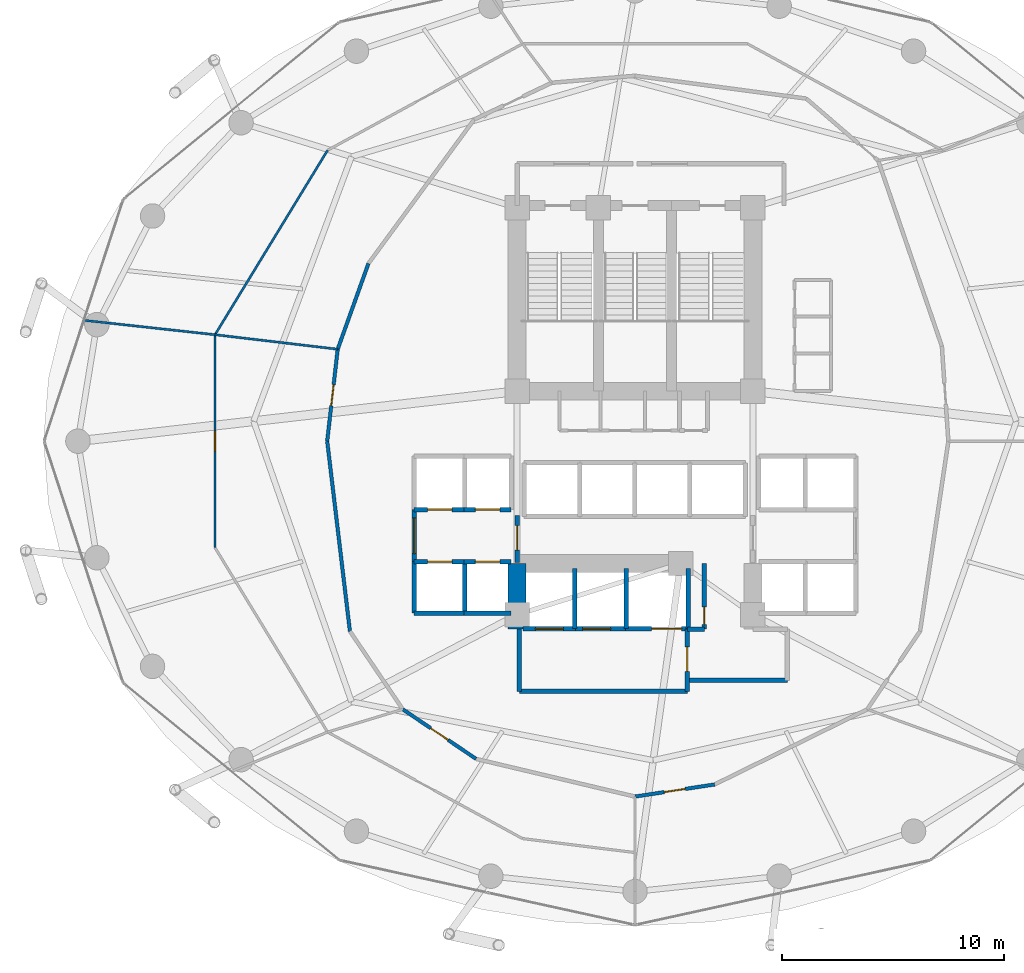
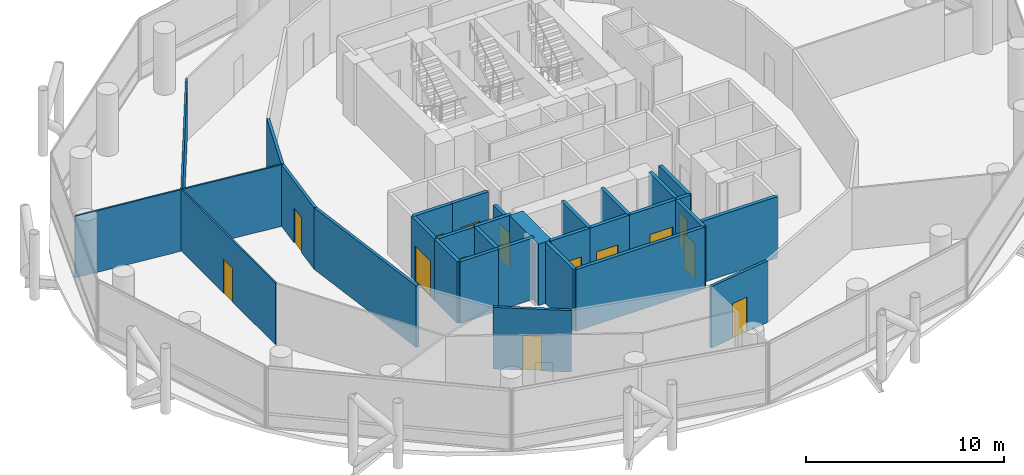
# One storey, part 21 of 25: 32 walls, 15 doors, 15 openings.
"""IFC4 building model written with IfcOpenShell, lengths in metres."""

import ifcopenshell
import ifcopenshell.guid

model = None  # the IFC model being written
_history = None  # IfcOwnerHistory: only IFC2X3 demands one
_inside = {}  # id of a spatial element -> (the spatial element, [elements in it])
_under = {}  # id of a project, library or spatial element -> (it, [spatial elements below it])
_declared = {}  # id of a project -> (the project, [libraries it declares])
_typed = {}  # id of a type object -> (the type object, [elements of that type])
_made_of = {}  # id of a material, layer set ... -> (it, [elements and type objects made of it])


def new_model(schema):
    """Start an empty IFC model of exactly this schema.

    Asked for "IFC4X3", IfcOpenShell would pick the latest addendum, in which some entities
    have other attributes; the version numbers below select the first issue.
    IFC2X3 requires an IfcOwnerHistory on every rooted entity: one is made here for all.
    """
    global model, _history
    if schema == "IFC4X3":
        model = ifcopenshell.file(schema_version=(4, 3, 0, 0))
    else:
        model = ifcopenshell.file(schema=schema)
    _inside.clear()
    _under.clear()
    _declared.clear()
    _typed.clear()
    _made_of.clear()
    _history = None
    if model.schema == "IFC2X3":
        org = make("IfcOrganization", Name="unknown")
        user = make(
            "IfcPersonAndOrganization",
            ThePerson=make("IfcPerson", FamilyName="unknown"),
            TheOrganization=org,
        )
        app = make(
            "IfcApplication",
            ApplicationDeveloper=org,
            Version="unknown",
            ApplicationFullName="unknown",
            ApplicationIdentifier="unknown",
        )
        _history = make(
            "IfcOwnerHistory",
            OwningUser=user,
            OwningApplication=app,
            ChangeAction="ADDED",
            CreationDate=0,
        )
    return model


def make(cls, **values):
    """One entity of the class cls with the attributes given. An attribute that is None is left unset."""
    return model.create_entity(
        cls, **{name: value for name, value in values.items() if value is not None}
    )


def rooted(cls, **values):
    """An entity with a GlobalId (a new one), such as an element, a storey or a relation."""
    return make(cls, GlobalId=ifcopenshell.guid.new(), OwnerHistory=_history, **values)


def si_unit(unit_type, name, prefix=None):
    """IfcSIUnit, for example si_unit("LENGTHUNIT", "METRE", prefix="MILLI")."""
    return make("IfcSIUnit", UnitType=unit_type, Prefix=prefix, Name=name)


def assignment(units):
    """IfcUnitAssignment: the units of a project."""
    return None if units is None else make("IfcUnitAssignment", Units=units)


def point(xyz):
    """IfcCartesianPoint."""
    return None if xyz is None else make("IfcCartesianPoint", Coordinates=xyz)


def direction(xyz):
    """IfcDirection."""
    return None if xyz is None else make("IfcDirection", DirectionRatios=xyz)


def frame(location, z_axis=None, x_axis=None):
    """IfcAxis2Placement3D, a coordinate frame: its origin and axes. An axis left out is left unset."""
    return make(
        "IfcAxis2Placement3D",
        Location=point(location),
        Axis=direction(z_axis),
        RefDirection=direction(x_axis),
    )


def frame_2d(location, x_axis=None):
    """IfcAxis2Placement2D, a coordinate frame in the plane: its origin and x axis."""
    return make(
        "IfcAxis2Placement2D", Location=point(location), RefDirection=direction(x_axis)
    )


def origin():
    """The frame at (0, 0, 0) with its axes left unset."""
    return frame((0.0, 0.0, 0.0))


def place(relative_to, where):
    """IfcLocalPlacement: puts the frame where relative to a parent placement (None: the world)."""
    return make(
        "IfcLocalPlacement", PlacementRelTo=relative_to, RelativePlacement=where
    )


def context(
    kind, dimensions, precision=None, world=None, true_north=None, identifier=None
):
    """IfcGeometricRepresentationContext, for example the 3D "Model" context."""
    return make(
        "IfcGeometricRepresentationContext",
        ContextIdentifier=identifier,
        ContextType=kind,
        CoordinateSpaceDimension=dimensions,
        Precision=precision,
        WorldCoordinateSystem=world,
        TrueNorth=true_north,
    )


def subcontext(parent, identifier, kind, view, scale=None):
    """IfcGeometricRepresentationSubContext, for example "Body" below "Model"."""
    return make(
        "IfcGeometricRepresentationSubContext",
        ContextIdentifier=identifier,
        ContextType=kind,
        ParentContext=parent,
        TargetScale=scale,
        TargetView=view,
    )


def project(units=None, contexts=None):
    """IfcProject with its units and contexts."""
    return rooted(
        "IfcProject",
        Name="project",
        RepresentationContexts=contexts,
        UnitsInContext=assignment(units),
    )


def spatial(cls, under=None, at=None, **own):
    """A site, building, storey or space (cls), placed at a placement, below another one or the project."""
    s = rooted(cls, ObjectPlacement=at, **own)
    if under is not None:
        _under.setdefault(under.id(), (under, []))[1].append(s)
    return s


def profile(cls, at=None, kind="AREA", **sizes):
    """A parametric profile (cls). Its sizes go by their IFC names, for example OverallWidth=200.0."""
    return make(cls, ProfileType=kind, Position=at, **sizes)


def rectangle(**sizes):
    """IfcRectangleProfileDef."""
    return profile("IfcRectangleProfileDef", **sizes)


def extrude(swept, where, along, depth):
    """IfcExtrudedAreaSolid: the profile swept, set in the frame where, extruded along a direction by depth."""
    return make(
        "IfcExtrudedAreaSolid",
        SweptArea=swept,
        Position=where,
        ExtrudedDirection=direction(along),
        Depth=depth,
    )


def shape(context_of_items, identifier, shape_type, items):
    """IfcShapeRepresentation: the items that make up one representation, for example the "Body"."""
    return make(
        "IfcShapeRepresentation",
        ContextOfItems=context_of_items,
        RepresentationIdentifier=identifier,
        RepresentationType=shape_type,
        Items=items,
    )


def material(Name=None, Category=None):
    """IfcMaterial."""
    return make("IfcMaterial", Name=Name, Category=Category)


def layer(
    of_material, thickness, ventilated=None, Name=None, Category=None, Priority=None
):
    """IfcMaterialLayer: one layer of a wall or slab, of a material (None: an air gap)."""
    return make(
        "IfcMaterialLayer",
        Material=of_material,
        LayerThickness=thickness,
        IsVentilated=ventilated,
        Name=Name,
        Category=Category,
        Priority=Priority,
    )


def layer_set(layers, Name=None):
    """IfcMaterialLayerSet."""
    return make("IfcMaterialLayerSet", MaterialLayers=layers, LayerSetName=Name)


def made_of(thing, what):
    """Note that an element or type object is made of a material, layer set ...; save() writes the relation."""
    if what is not None:
        _made_of.setdefault(what.id(), (what, []))[1].append(thing)
    return thing


def type_object(cls, material=None, **own):
    """A type object (cls), such as IfcWallType, which elements share."""
    return made_of(rooted(cls, **own), material)


def element(
    cls,
    number,
    at=None,
    inside=None,
    cuts=None,
    type_object=None,
    material=None,
    context=None,
    identifier="Body",
    shape_type=None,
    held_by="IfcProductDefinitionShape",
    body=None,
    shapes=None,
    **own,
):
    """One element of the class cls, such as IfcWall. Its Tag is "e" and its number.

    at: its placement. inside: the storey or other place that contains it. cuts: it is an
    opening in that element (IfcRelVoidsElement). A single representation is given by context,
    identifier, shape_type and body (its items); several are given by shapes. held_by: the class
    of the entity that holds the representations. save() writes the other relations.
    """
    e = rooted(cls, Tag="e%d" % number, ObjectPlacement=at, **own)
    if body is not None:
        shapes = [shape(context, identifier, shape_type, body)]
    if shapes is not None:
        e.Representation = make(held_by, Representations=shapes)
    if inside is not None:
        _inside.setdefault(inside.id(), (inside, []))[1].append(e)
    if cuts is not None:
        rooted(
            "IfcRelVoidsElement", RelatingBuildingElement=cuts, RelatedOpeningElement=e
        )
    if type_object is not None:
        _typed.setdefault(type_object.id(), (type_object, []))[1].append(e)
    return made_of(e, material)


def fill(opening, filler):
    """IfcRelFillsElement: the door or window that sits in an opening."""
    return rooted(
        "IfcRelFillsElement",
        RelatingOpeningElement=opening,
        RelatedBuildingElement=filler,
    )


def aggregate(whole, parts):
    """IfcRelAggregates: a whole, such as a stair, and the parts it consists of."""
    return rooted("IfcRelAggregates", RelatingObject=whole, RelatedObjects=parts)


def save(model, path):
    """Write the relations noted so far, then the file.

    IfcRelAggregates (storeys below a building ...), IfcRelContainedInSpatialStructure (elements
    in a storey), IfcRelDefinesByType, IfcRelAssociatesMaterial and IfcRelDeclares: one each for
    every whole, place, type object, material and project.
    """
    for whole, parts in _under.values():
        aggregate(whole, parts)
    for where, things in _inside.values():
        rooted(
            "IfcRelContainedInSpatialStructure",
            RelatedElements=things,
            RelatingStructure=where,
        )
    for kind, things in _typed.values():
        rooted("IfcRelDefinesByType", RelatedObjects=things, RelatingType=kind)
    for what, things in _made_of.values():
        rooted("IfcRelAssociatesMaterial", RelatedObjects=things, RelatingMaterial=what)
    for by, libraries in _declared.values():
        rooted("IfcRelDeclares", RelatingContext=by, RelatedDefinitions=libraries)
    model.write(path)


model = new_model("IFC4")

# Units and contexts
model_context = context("Model", 3, precision=1e-05, world=origin(), true_north=direction((0.0, 1.0)))
body_context = subcontext(model_context, "Body", "Model", "MODEL_VIEW")
ifc_project = project(units=[si_unit("LENGTHUNIT", "METRE"), si_unit("AREAUNIT", "SQUARE_METRE"), si_unit("VOLUMEUNIT", "CUBIC_METRE"), si_unit("PLANEANGLEUNIT", "RADIAN"), si_unit("MASSUNIT", "GRAM", prefix="KILO")], contexts=[model_context])

# Site, building, storey
site_placement = place(None, origin())
site = spatial("IfcSite", under=ifc_project, at=site_placement, CompositionType="ELEMENT")
building_placement = place(site_placement, origin())
building = spatial("IfcBuilding", under=site, at=building_placement, Name="Nuhasar Tower", CompositionType="ELEMENT")
storey_placement = place(building_placement, frame((0.0, 0.0, 57.449951171875)))
storey = spatial("IfcBuildingStorey", under=building, at=storey_placement, Name="L13", CompositionType="ELEMENT", Elevation=57.449951171875)

# Walls
ifc_material_1 = material(Name="Concrete C80/95", Category="concrete")
ifc_layer_1 = layer(ifc_material_1, 0.800048828125)
ifc_layer_set_1 = layer_set([ifc_layer_1], Name="Concrete C80/95")
wall_type_1 = type_object("IfcWallType", Name="WL-CORE-800", PredefinedType="SHEAR", material=ifc_layer_set_1)
wall_1_placement = place(storey_placement, frame((33.699951171875, 18.35009765625, 0.0), z_axis=(0.0, 0.0, 1.0), x_axis=(0.0, 1.0, 0.0)))
element("IfcWall", 1, at=wall_1_placement, inside=storey, type_object=wall_type_1, Name="L13 Core Shear Wall CW-SW CW-800", PredefinedType="SHEAR", context=body_context, shape_type="SweptSolid", body=[
    extrude(rectangle(XDim=2.949951171875, YDim=0.800048828125, at=frame_2d((1.47509765625, 0.0))), origin(), (0.0, 0.0, 1.0), 3.800048828125),
])
ifc_material_2 = material(Name="Gypsum Board", Category="gypsum")
ifc_layer_2 = layer(ifc_material_2, 0.159912109375)
ifc_layer_set_2 = layer_set([ifc_layer_2], Name="Gypsum Board")
wall_type_2 = type_object("IfcWallType", Name="WL-CORR-160", PredefinedType="PARTITIONING", material=ifc_layer_set_2)
wall_2_placement = place(storey_placement, frame((27.013916015625, 34.7900390625, 0.0), z_axis=(0.0, 0.0, 1.0), x_axis=(-0.337507156162, -0.941322962399, 0.0)))
element("IfcWall", 2, at=wall_2_placement, inside=storey, type_object=wall_type_2, Name="L13 Interior Partition CORR-20", PredefinedType="PARTITIONING", context=body_context, shape_type="SweptSolid", body=[
    extrude(rectangle(XDim=4.09423828125, YDim=0.159912109375, at=frame_2d((2.047119140625, 0.0))), origin(), (0.0, 0.0, 1.0), 3.800048828125),
])

# Wall, opening, door
wall_3_placement = place(storey_placement, frame((25.159912109375, 26.800048828125, 0.0), z_axis=(0.0, 0.0, 1.0), x_axis=(0.113424191486, 0.993546653553, 0.0)))
wall_3 = element("IfcWall", 3, at=wall_3_placement, inside=storey, type_object=wall_type_2, Name="L13 Interior Partition CORR-22", PredefinedType="PARTITIONING", context=body_context, shape_type="SweptSolid", body=[
    extrude(rectangle(XDim=4.162841796875, YDim=0.159912109375, at=frame_2d((2.08154296875, 0.0))), origin(), (0.0, 0.0, 1.0), 3.800048828125),
])
opening_1_placement = place(wall_3_placement, frame((1.60595703125, 0.0, 0.0)))
opening_1 = element("IfcOpeningElement", 4, at=opening_1_placement, cuts=wall_3, Name="Opening DO-01", PredefinedType="OPENING", context=body_context, shape_type="SweptSolid", body=[
    extrude(rectangle(XDim=0.949951171875, YDim=2.14990234375, at=frame_2d((0.47509765625, 1.074951171875))), frame((0.0, 0.08984375, 0.0), z_axis=(0.0, -1.0, 0.0), x_axis=(1.0, 0.0, 0.0)), (0.0, 0.0, 1.0), 0.179931640625),
])
ifc_material_3 = material(Name="Timber Oak", Category="wood")
door_type_1 = type_object("IfcDoorType", Name="DR-OFFICE-FD30-950", OperationType="NOTDEFINED", PredefinedType="DOOR", material=ifc_material_3)
door_1_placement = place(opening_1_placement, origin())
door_1 = element("IfcDoor", 5, at=door_1_placement, inside=storey, type_object=door_type_1, Name="L13 Risk Committee Meeting Room Entry Door", OperationType="SINGLE_SWING_LEFT", OverallHeight=2.14990234375, OverallWidth=0.949951171875, PredefinedType="DOOR", context=body_context, shape_type="SweptSolid", body=[
    extrude(rectangle(XDim=0.949951171875, YDim=2.14990234375, at=frame_2d((0.47509765625, 1.074951171875))), frame((0.0, 0.02490234375, 0.0), z_axis=(0.0, -1.0, 0.0), x_axis=(1.0, 0.0, 0.0)), (0.0, 0.0, 1.0), 0.050048828125),
])
fill(opening_1, door_1)

# Wall
wall_4_placement = place(storey_placement, frame((25.159912109375, 26.800048828125, 0.0), z_axis=(0.0, 0.0, 1.0), x_axis=(0.11875033489, -0.992924145121, 0.0)))
element("IfcWall", 6, at=wall_4_placement, inside=storey, type_object=wall_type_2, Name="L13 Interior Partition CORR-24", PredefinedType="PARTITIONING", context=body_context, shape_type="SweptSolid", body=[
    extrude(rectangle(XDim=8.60595703125, YDim=0.159912109375, at=frame_2d((4.302978515625, 0.0))), origin(), (0.0, 0.0, 1.0), 3.800048828125),
])

# Wall, opening, door
wall_5_placement = place(storey_placement, frame((31.85595703125, 12.513916015625, 0.0), z_axis=(0.0, 0.0, 1.0), x_axis=(-0.828313553284, 0.560264810108, 0.0)))
wall_5 = element("IfcWall", 7, at=wall_5_placement, inside=storey, type_object=wall_type_2, Name="L13 Interior Partition CORR-30", PredefinedType="PARTITIONING", context=body_context, shape_type="SweptSolid", body=[
    extrude(rectangle(XDim=3.980224609375, YDim=0.159912109375, at=frame_2d((1.990234375, 0.0))), origin(), (0.0, 0.0, 1.0), 3.800048828125),
])
opening_2_placement = place(wall_5_placement, frame((1.514892578125, 0.0, 0.0)))
opening_2 = element("IfcOpeningElement", 8, at=opening_2_placement, cuts=wall_5, Name="Opening DO-01", PredefinedType="OPENING", context=body_context, shape_type="SweptSolid", body=[
    extrude(rectangle(XDim=0.949951171875, YDim=2.14990234375, at=frame_2d((0.47509765625, 1.074951171875))), frame((0.0, 0.08984375, 0.0), z_axis=(0.0, -1.0, 0.0), x_axis=(1.0, 0.0, 0.0)), (0.0, 0.0, 1.0), 0.179931640625),
])
door_2_placement = place(opening_2_placement, origin())
door_2 = element("IfcDoor", 9, at=door_2_placement, inside=storey, type_object=door_type_1, Name="L13 Econometrics Research Office Entry Door", OperationType="SINGLE_SWING_RIGHT", OverallHeight=2.14990234375, OverallWidth=0.949951171875, PredefinedType="DOOR", context=body_context, shape_type="SweptSolid", body=[
    extrude(rectangle(XDim=0.949951171875, YDim=2.14990234375, at=frame_2d((0.47509765625, 1.074951171875))), frame((0.0, 0.02490234375, 0.0), z_axis=(0.0, -1.0, 0.0), x_axis=(1.0, 0.0, 0.0)), (0.0, 0.0, 1.0), 0.050048828125),
])
fill(opening_2, door_2)

wall_6_placement = place(storey_placement, frame((42.58203125, 11.364990234375, 0.0), z_axis=(0.0, 0.0, 1.0), x_axis=(-0.988625807883, -0.150396183424, 0.0)))
wall_6 = element("IfcWall", 10, at=wall_6_placement, inside=storey, type_object=wall_type_2, Name="L13 Interior Partition CORR-36", PredefinedType="PARTITIONING", context=body_context, shape_type="SweptSolid", body=[
    extrude(rectangle(XDim=3.623291015625, YDim=0.159912109375, at=frame_2d((1.8115234375, 0.0))), origin(), (0.0, 0.0, 1.0), 3.800048828125),
])
opening_3_placement = place(wall_6_placement, frame((1.3369140625, 0.0, 0.0)))
opening_3 = element("IfcOpeningElement", 11, at=opening_3_placement, cuts=wall_6, Name="Opening DO-01", PredefinedType="OPENING", context=body_context, shape_type="SweptSolid", body=[
    extrude(rectangle(XDim=0.949951171875, YDim=2.14990234375, at=frame_2d((0.47509765625, 1.074951171875))), frame((0.0, 0.08984375, 0.0), z_axis=(0.0, -1.0, 0.0), x_axis=(1.0, 0.0, 0.0)), (0.0, 0.0, 1.0), 0.179931640625),
])
door_3_placement = place(opening_3_placement, origin())
door_3 = element("IfcDoor", 12, at=door_3_placement, inside=storey, type_object=door_type_1, Name="L13 Trader Bistro Pantry Entry Door", OperationType="SINGLE_SWING_RIGHT", OverallHeight=2.14990234375, OverallWidth=0.949951171875, PredefinedType="DOOR", context=body_context, shape_type="SweptSolid", body=[
    extrude(rectangle(XDim=0.949951171875, YDim=2.14990234375, at=frame_2d((0.47509765625, 1.074951171875))), frame((0.0, 0.02490234375, 0.0), z_axis=(0.0, -1.0, 0.0), x_axis=(1.0, 0.0, 0.0)), (0.0, 0.0, 1.0), 0.050048828125),
])
fill(opening_3, door_3)

ifc_material_4 = material(Name="Concrete C45/55", Category="concrete")
ifc_layer_3 = layer(ifc_material_4, 0.199951171875)
ifc_layer_set_3 = layer_set([ifc_layer_3], Name="Concrete C45/55")
wall_type_3 = type_object("IfcWallType", Name="WL-LOBBY-200", PredefinedType="SOLIDWALL", material=ifc_layer_set_3)
wall_7_placement = place(storey_placement, frame((29.070068359375, 21.3798828125, 0.0), z_axis=(0.0, 0.0, 1.0), x_axis=(0.0, 1.0, 0.0)))
wall_7 = element("IfcWall", 13, at=wall_7_placement, inside=storey, type_object=wall_type_3, Name="L13 Interior Partition LLBL-W", PredefinedType="SOLIDWALL", context=body_context, shape_type="SweptSolid", body=[
    extrude(rectangle(XDim=2.340087890625, YDim=0.199951171875, at=frame_2d((1.169921875, 0.0))), origin(), (0.0, 0.0, 1.0), 3.800048828125),
])
opening_4_placement = place(wall_7_placement, frame((0.3701171875, 0.0, 0.0)))
opening_4 = element("IfcOpeningElement", 14, at=opening_4_placement, cuts=wall_7, Name="Opening DC-01", PredefinedType="OPENING", context=body_context, shape_type="SweptSolid", body=[
    extrude(rectangle(XDim=1.60009765625, YDim=2.199951171875, at=frame_2d((0.800048828125, 1.10009765625))), frame((0.0, 0.10986328125, 0.0), z_axis=(0.0, -1.0, 0.0), x_axis=(1.0, 0.0, 0.0)), (0.0, 0.0, 1.0), 0.219970703125),
])
ifc_material_5 = material(Name="Steel S355", Category="steel")
door_type_2 = type_object("IfcDoorType", Name="DR-CORR-FD60-1600", OperationType="DOUBLE_DOOR_SINGLE_SWING", PredefinedType="DOOR", material=ifc_material_5)
door_4_placement = place(opening_4_placement, origin())
door_4 = element("IfcDoor", 15, at=door_4_placement, inside=storey, type_object=door_type_2, Name="L13 Low-Rise Lift Lobby West Entry", OperationType="DOUBLE_DOOR_SINGLE_SWING", OverallHeight=2.199951171875, OverallWidth=1.60009765625, PredefinedType="DOOR", context=body_context, shape_type="SweptSolid", body=[
    extrude(rectangle(XDim=1.60009765625, YDim=2.199951171875, at=frame_2d((0.800048828125, 1.10009765625))), frame((0.0, 0.02490234375, 0.0), z_axis=(0.0, -1.0, 0.0), x_axis=(1.0, 0.0, 0.0)), (0.0, 0.0, 1.0), 0.050048828125),
])
fill(opening_4, door_4)

wall_8_placement = place(storey_placement, frame((33.699951171875, 21.35009765625, 0.0), z_axis=(0.0, 0.0, 1.0), x_axis=(0.0, 1.0, 0.0)))
wall_8 = element("IfcWall", 16, at=wall_8_placement, inside=storey, type_object=wall_type_3, Name="L13 Interior Partition LLBH-W", PredefinedType="SOLIDWALL", context=body_context, shape_type="SweptSolid", body=[
    extrude(rectangle(XDim=2.099853515625, YDim=0.199951171875, at=frame_2d((1.0498046875, 0.0))), origin(), (0.0, 0.0, 1.0), 3.02001953125),
])
opening_5_placement = place(wall_8_placement, frame((0.550048828125, 0.0, 0.0)))
opening_5 = element("IfcOpeningElement", 17, at=opening_5_placement, cuts=wall_8, Name="Opening DS-02", PredefinedType="OPENING", context=body_context, shape_type="SweptSolid", body=[
    extrude(rectangle(XDim=1.10009765625, YDim=2.14990234375, at=frame_2d((0.550048828125, 1.074951171875))), frame((0.0, 0.10986328125, 0.0), z_axis=(0.0, -1.0, 0.0), x_axis=(1.0, 0.0, 0.0)), (0.0, 0.0, 1.0), 0.219970703125),
])
door_type_3 = type_object("IfcDoorType", Name="DR-FFL-FD120-1100", OperationType="NOTDEFINED", PredefinedType="DOOR", material=ifc_material_5)
door_5_placement = place(opening_5_placement, origin())
door_5 = element("IfcDoor", 18, at=door_5_placement, inside=storey, type_object=door_type_3, Name="L13 High-Rise Lobby West Door", OperationType="SINGLE_SWING_RIGHT", OverallHeight=2.14990234375, OverallWidth=1.10009765625, PredefinedType="DOOR", context=body_context, shape_type="SweptSolid", body=[
    extrude(rectangle(XDim=1.10009765625, YDim=2.14990234375, at=frame_2d((0.550048828125, 1.074951171875))), frame((0.0, 0.02490234375, 0.0), z_axis=(0.0, -1.0, 0.0), x_axis=(1.0, 0.0, 0.0)), (0.0, 0.0, 1.0), 0.050048828125),
])
fill(opening_5, door_5)

# Walls
wall_9_placement = place(storey_placement, frame((33.800048828125, 15.550048828125, 0.0), z_axis=(0.0, 0.0, 1.0), x_axis=(1.0, 0.0, 0.0)))
element("IfcWall", 19, at=wall_9_placement, inside=storey, type_object=wall_type_3, Name="L13 Interior Partition FFL-S", PredefinedType="SOLIDWALL", context=body_context, shape_type="SweptSolid", body=[
    extrude(rectangle(XDim=7.550048828125, YDim=0.199951171875, at=frame_2d((3.77490234375, 0.0))), origin(), (0.0, 0.0, 1.0), 3.800048828125),
])
wall_10_placement = place(storey_placement, frame((33.800048828125, 15.550048828125, 0.0), z_axis=(0.0, 0.0, 1.0), x_axis=(0.0, 1.0, 0.0)))
element("IfcWall", 20, at=wall_10_placement, inside=storey, type_object=wall_type_3, Name="L13 Interior Partition FFL-W", PredefinedType="SOLIDWALL", context=body_context, shape_type="SweptSolid", body=[
    extrude(rectangle(XDim=2.800048828125, YDim=0.199951171875, at=frame_2d((1.39990234375, 0.0))), origin(), (0.0, 0.0, 1.0), 3.800048828125),
])

# Wall, opening, door
wall_11_placement = place(storey_placement, frame((41.35009765625, 15.550048828125, 0.0), z_axis=(0.0, 0.0, 1.0), x_axis=(0.0, 1.0, 0.0)))
wall_11 = element("IfcWall", 21, at=wall_11_placement, inside=storey, type_object=wall_type_3, Name="L13 Interior Partition FFL-E", PredefinedType="SOLIDWALL", context=body_context, shape_type="SweptSolid", body=[
    extrude(rectangle(XDim=2.800048828125, YDim=0.199951171875, at=frame_2d((1.39990234375, 0.0))), origin(), (0.0, 0.0, 1.0), 3.800048828125),
])
opening_6_placement = place(wall_11_placement, frame((0.89990234375, 0.0, 0.0)))
opening_6 = element("IfcOpeningElement", 22, at=opening_6_placement, cuts=wall_11, Name="Opening DS-02", PredefinedType="OPENING", context=body_context, shape_type="SweptSolid", body=[
    extrude(rectangle(XDim=1.10009765625, YDim=2.14990234375, at=frame_2d((0.550048828125, 1.074951171875))), frame((0.0, 0.10986328125, 0.0), z_axis=(0.0, -1.0, 0.0), x_axis=(1.0, 0.0, 0.0)), (0.0, 0.0, 1.0), 0.219970703125),
])
door_6_placement = place(opening_6_placement, origin())
door_6 = element("IfcDoor", 23, at=door_6_placement, inside=storey, type_object=door_type_3, Name="L13 Firefighting Lobby Door", OperationType="SINGLE_SWING_RIGHT", OverallHeight=2.14990234375, OverallWidth=1.10009765625, PredefinedType="DOOR", context=body_context, shape_type="SweptSolid", body=[
    extrude(rectangle(XDim=1.10009765625, YDim=2.14990234375, at=frame_2d((0.550048828125, 1.074951171875))), frame((0.0, 0.02490234375, 0.0), z_axis=(0.0, -1.0, 0.0), x_axis=(1.0, 0.0, 0.0)), (0.0, 0.0, 1.0), 0.050048828125),
])
fill(opening_6, door_6)

# Walls
wall_12_placement = place(storey_placement, frame((41.35009765625, 16.050048828125, 0.0), z_axis=(0.0, 0.0, 1.0), x_axis=(1.0, 0.0, 0.0)))
element("IfcWall", 24, at=wall_12_placement, inside=storey, type_object=wall_type_3, Name="L13 Interior Partition SVLV-S", PredefinedType="SOLIDWALL", context=body_context, shape_type="SweptSolid", body=[
    extrude(rectangle(XDim=4.5, YDim=0.199951171875, at=frame_2d((2.25, 0.0))), origin(), (0.0, 0.0, 1.0), 3.800048828125),
])
ifc_material_6 = material(Name="Aluminium 6063-T6", Category="aluminium")
ifc_layer_4 = layer(ifc_material_6, 0.10009765625)
ifc_layer_set_4 = layer_set([ifc_layer_4], Name="Aluminium 6063-T6")
wall_type_4 = type_object("IfcWallType", Name="WL-MOVABLE-100", PredefinedType="MOVABLE", material=ifc_layer_set_4)
wall_13_placement = place(storey_placement, frame((25.176025390625, 39.8798828125, 0.0), z_axis=(0.0, 0.0, 1.0), x_axis=(-0.520904998728, -0.853614656798, 0.0)))
element("IfcWall", 25, at=wall_13_placement, inside=storey, type_object=wall_type_4, Name="L13 Interior Partition OMID-03-18", PredefinedType="MOVABLE", context=body_context, shape_type="SweptSolid", body=[
    extrude(rectangle(XDim=9.7138671875, YDim=0.10009765625, at=frame_2d((4.85693359375, 0.0))), origin(), (0.0, 0.0, 1.0), 3.800048828125),
])
wall_14_placement = place(storey_placement, frame((25.632080078125, 30.93603515625, 0.0), z_axis=(0.0, 0.0, 1.0), x_axis=(-0.993089865622, 0.117356375197, 0.0)))
element("IfcWall", 26, at=wall_14_placement, inside=storey, type_object=wall_type_4, Name="L13 Interior Partition ORAD-22-S1", PredefinedType="MOVABLE", context=body_context, shape_type="SweptSolid", body=[
    extrude(rectangle(XDim=5.554443359375, YDim=0.10009765625, at=frame_2d((2.77734375, 0.0))), origin(), (0.0, 0.0, 1.0), 3.800048828125),
])
wall_15_placement = place(storey_placement, frame((20.115966796875, 31.587890625, 0.0), z_axis=(0.0, 0.0, 1.0), x_axis=(-0.994040689629, 0.109009666368, 0.0)))
element("IfcWall", 27, at=wall_15_placement, inside=storey, type_object=wall_type_4, Name="L13 Interior Partition ORAD-22-S2", PredefinedType="MOVABLE", context=body_context, shape_type="SweptSolid", body=[
    extrude(rectangle(XDim=5.899169921875, YDim=0.10009765625, at=frame_2d((2.94970703125, 0.0))), origin(), (0.0, 0.0, 1.0), 3.800048828125),
])

# Wall, opening, door
wall_16_placement = place(storey_placement, frame((20.115966796875, 22.011962890625, 0.0), z_axis=(0.0, 0.0, 1.0), x_axis=(0.0, 1.0, 0.0)))
wall_16 = element("IfcWall", 28, at=wall_16_placement, inside=storey, type_object=wall_type_4, Name="L13 Interior Partition OMID-04-22", PredefinedType="MOVABLE", context=body_context, shape_type="SweptSolid", body=[
    extrude(rectangle(XDim=9.575927734375, YDim=0.10009765625, at=frame_2d((4.7880859375, 0.0))), origin(), (0.0, 0.0, 1.0), 3.800048828125),
])
opening_7_placement = place(wall_16_placement, frame((4.337890625, 0.0, 0.0)))
opening_7 = element("IfcOpeningElement", 29, at=opening_7_placement, cuts=wall_16, Name="Opening DR-01", PredefinedType="OPENING", context=body_context, shape_type="SweptSolid", body=[
    extrude(rectangle(XDim=0.89990234375, YDim=2.10009765625, at=frame_2d((0.449951171875, 1.050048828125))), frame((0.0, 0.06005859375, 0.0), z_axis=(0.0, -1.0, 0.0), x_axis=(1.0, 0.0, 0.0)), (0.0, 0.0, 1.0), 0.1201171875),
])
door_type_4 = type_object("IfcDoorType", Name="DR-ROOM-900", OperationType="NOTDEFINED", PredefinedType="DOOR", material=ifc_material_3)
door_7_placement = place(opening_7_placement, origin())
door_7 = element("IfcDoor", 30, at=door_7_placement, inside=storey, type_object=door_type_4, Name="L13 Risk Committee Meeting Room Inner Door", OperationType="SINGLE_SWING_LEFT", OverallHeight=2.10009765625, OverallWidth=0.89990234375, PredefinedType="DOOR", context=body_context, shape_type="SweptSolid", body=[
    extrude(rectangle(XDim=0.89990234375, YDim=2.10009765625, at=frame_2d((0.449951171875, 1.050048828125))), frame((0.0, 0.02490234375, 0.0), z_axis=(0.0, -1.0, 0.0), x_axis=(1.0, 0.0, 0.0)), (0.0, 0.0, 1.0), 0.050048828125),
])
fill(opening_7, door_7)

ifc_layer_5 = layer(ifc_material_4, 0.199951171875)
ifc_layer_set_5 = layer_set([ifc_layer_5], Name="Concrete C45/55")
wall_type_5 = type_object("IfcWallType", Name="WL-SHAFT-200", PredefinedType="SOLIDWALL", material=ifc_layer_set_5)
wall_17_placement = place(storey_placement, frame((29.070068359375, 23.719970703125, 0.0), z_axis=(0.0, 0.0, 1.0), x_axis=(1.0, 0.0, 0.0)))
wall_17 = element("IfcWall", 31, at=wall_17_placement, inside=storey, type_object=wall_type_5, Name="L13 Interior Partition SHF-PL-L01-S", PredefinedType="SOLIDWALL", context=body_context, shape_type="SweptSolid", body=[
    extrude(rectangle(XDim=2.309814453125, YDim=0.199951171875, at=frame_2d((1.15478515625, 0.0))), origin(), (0.0, 0.0, 1.0), 3.800048828125),
])
opening_8_placement = place(wall_17_placement, frame((0.60498046875, 0.0, 0.0)))
opening_8 = element("IfcOpeningElement", 32, at=opening_8_placement, cuts=wall_17, Name="Opening LD-L01", PredefinedType="OPENING", context=body_context, shape_type="SweptSolid", body=[
    extrude(rectangle(XDim=1.10009765625, YDim=2.14990234375, at=frame_2d((0.550048828125, 1.074951171875))), frame((0.0, 0.10986328125, 0.0), z_axis=(0.0, -1.0, 0.0), x_axis=(1.0, 0.0, 0.0)), (0.0, 0.0, 1.0), 0.219970703125),
])
ifc_material_7 = material(Name="Stainless Steel 316L", Category="steel")
door_type_5 = type_object("IfcDoorType", Name="LD-PAX-1100", OperationType="DOUBLE_DOOR_SLIDING", PredefinedType="DOOR", material=ifc_material_7)
door_8_placement = place(opening_8_placement, origin())
door_8 = element("IfcDoor", 33, at=door_8_placement, inside=storey, type_object=door_type_5, Name="L13 Lift Landing Door PL-L01", OperationType="DOUBLE_DOOR_SLIDING", OverallHeight=2.14990234375, OverallWidth=1.10009765625, PredefinedType="DOOR", context=body_context, shape_type="SweptSolid", body=[
    extrude(rectangle(XDim=1.10009765625, YDim=2.14990234375, at=frame_2d((0.550048828125, 1.074951171875))), frame((0.0, 0.02490234375, 0.0), z_axis=(0.0, -1.0, 0.0), x_axis=(1.0, 0.0, 0.0)), (0.0, 0.0, 1.0), 0.050048828125),
])
fill(opening_8, door_8)

wall_18_placement = place(storey_placement, frame((31.320068359375, 23.719970703125, 0.0), z_axis=(0.0, 0.0, 1.0), x_axis=(1.0, 0.0, 0.0)))
wall_18 = element("IfcWall", 34, at=wall_18_placement, inside=storey, type_object=wall_type_5, Name="L13 Interior Partition SHF-PL-L02-S", PredefinedType="SOLIDWALL", context=body_context, shape_type="SweptSolid", body=[
    extrude(rectangle(XDim=2.10986328125, YDim=0.199951171875, at=frame_2d((1.054931640625, 0.0))), origin(), (0.0, 0.0, 1.0), 3.800048828125),
])
opening_9_placement = place(wall_18_placement, frame((0.5048828125, 0.0, 0.0)))
opening_9 = element("IfcOpeningElement", 35, at=opening_9_placement, cuts=wall_18, Name="Opening LD-L02", PredefinedType="OPENING", context=body_context, shape_type="SweptSolid", body=[
    extrude(rectangle(XDim=1.10009765625, YDim=2.14990234375, at=frame_2d((0.550048828125, 1.074951171875))), frame((0.0, 0.10986328125, 0.0), z_axis=(0.0, -1.0, 0.0), x_axis=(1.0, 0.0, 0.0)), (0.0, 0.0, 1.0), 0.219970703125),
])
door_9_placement = place(opening_9_placement, origin())
door_9 = element("IfcDoor", 36, at=door_9_placement, inside=storey, type_object=door_type_5, Name="L13 Lift Landing Door PL-L02", OperationType="DOUBLE_DOOR_SLIDING", OverallHeight=2.14990234375, OverallWidth=1.10009765625, PredefinedType="DOOR", context=body_context, shape_type="SweptSolid", body=[
    extrude(rectangle(XDim=1.10009765625, YDim=2.14990234375, at=frame_2d((0.550048828125, 1.074951171875))), frame((0.0, 0.02490234375, 0.0), z_axis=(0.0, -1.0, 0.0), x_axis=(1.0, 0.0, 0.0)), (0.0, 0.0, 1.0), 0.050048828125),
])
fill(opening_9, door_9)

# Wall
wall_19_placement = place(storey_placement, frame((29.070068359375, 19.070068359375, 0.0), z_axis=(0.0, 0.0, 1.0), x_axis=(1.0, 0.0, 0.0)))
element("IfcWall", 37, at=wall_19_placement, inside=storey, type_object=wall_type_5, Name="L13 Interior Partition SHF-PL-L03-S", PredefinedType="SOLIDWALL", context=body_context, shape_type="SweptSolid", body=[
    extrude(rectangle(XDim=2.309814453125, YDim=0.199951171875, at=frame_2d((1.15478515625, 0.0))), origin(), (0.0, 0.0, 1.0), 3.800048828125),
])

# Wall, opening, door
wall_20_placement = place(storey_placement, frame((29.070068359375, 21.3798828125, 0.0), z_axis=(0.0, 0.0, 1.0), x_axis=(1.0, 0.0, 0.0)))
wall_20 = element("IfcWall", 38, at=wall_20_placement, inside=storey, type_object=wall_type_5, Name="L13 Interior Partition SHF-PL-L03-N", PredefinedType="SOLIDWALL", context=body_context, shape_type="SweptSolid", body=[
    extrude(rectangle(XDim=2.309814453125, YDim=0.199951171875, at=frame_2d((1.15478515625, 0.0))), origin(), (0.0, 0.0, 1.0), 3.800048828125),
])
opening_10_placement = place(wall_20_placement, frame((0.60498046875, 0.0, 0.0)))
opening_10 = element("IfcOpeningElement", 39, at=opening_10_placement, cuts=wall_20, Name="Opening LD-L03", PredefinedType="OPENING", context=body_context, shape_type="SweptSolid", body=[
    extrude(rectangle(XDim=1.10009765625, YDim=2.14990234375, at=frame_2d((0.550048828125, 1.074951171875))), frame((0.0, 0.10986328125, 0.0), z_axis=(0.0, -1.0, 0.0), x_axis=(1.0, 0.0, 0.0)), (0.0, 0.0, 1.0), 0.219970703125),
])
door_10_placement = place(opening_10_placement, origin())
door_10 = element("IfcDoor", 40, at=door_10_placement, inside=storey, type_object=door_type_5, Name="L13 Lift Landing Door PL-L03", OperationType="DOUBLE_DOOR_SLIDING", OverallHeight=2.14990234375, OverallWidth=1.10009765625, PredefinedType="DOOR", context=body_context, shape_type="SweptSolid", body=[
    extrude(rectangle(XDim=1.10009765625, YDim=2.14990234375, at=frame_2d((0.550048828125, 1.074951171875))), frame((0.0, 0.02490234375, 0.0), z_axis=(0.0, -1.0, 0.0), x_axis=(1.0, 0.0, 0.0)), (0.0, 0.0, 1.0), 0.050048828125),
])
fill(opening_10, door_10)

# Walls
for number, where, z_axis, x_axis, name in (
    (41, (29.070068359375, 19.070068359375, 0.0), (0.0, 0.0, 1.0), (0.0, 1.0, 0.0), "L13 Interior Partition SHF-PL-L03-W"),
    (42, (31.35009765625, 19.070068359375, 0.0), (0.0, 0.0, 1.0), (0.0, 1.0, 0.0), "L13 Interior Partition SHF-PL-L03-E"),
):
    element("IfcWall", number, at=place(storey_placement, frame(where, z_axis=z_axis, x_axis=x_axis)), inside=storey, type_object=wall_type_5, Name=name, PredefinedType="SOLIDWALL", context=body_context, shape_type="SweptSolid", body=[
        extrude(rectangle(XDim=2.309814453125, YDim=0.199951171875, at=frame_2d((1.15478515625, 0.0))), origin(), (0.0, 0.0, 1.0), 3.800048828125),
    ])
wall_21_placement = place(storey_placement, frame((31.320068359375, 19.070068359375, 0.0), z_axis=(0.0, 0.0, 1.0), x_axis=(1.0, 0.0, 0.0)))
element("IfcWall", 43, at=wall_21_placement, inside=storey, type_object=wall_type_5, Name="L13 Interior Partition SHF-PL-L04-S", PredefinedType="SOLIDWALL", context=body_context, shape_type="SweptSolid", body=[
    extrude(rectangle(XDim=2.10986328125, YDim=0.199951171875, at=frame_2d((1.054931640625, 0.0))), origin(), (0.0, 0.0, 1.0), 3.800048828125),
])

# Wall, opening, door
wall_22_placement = place(storey_placement, frame((31.320068359375, 21.3798828125, 0.0), z_axis=(0.0, 0.0, 1.0), x_axis=(1.0, 0.0, 0.0)))
wall_22 = element("IfcWall", 44, at=wall_22_placement, inside=storey, type_object=wall_type_5, Name="L13 Interior Partition SHF-PL-L04-N", PredefinedType="SOLIDWALL", context=body_context, shape_type="SweptSolid", body=[
    extrude(rectangle(XDim=2.10986328125, YDim=0.199951171875, at=frame_2d((1.054931640625, 0.0))), origin(), (0.0, 0.0, 1.0), 3.800048828125),
])
opening_11_placement = place(wall_22_placement, frame((0.5048828125, 0.0, 0.0)))
opening_11 = element("IfcOpeningElement", 45, at=opening_11_placement, cuts=wall_22, Name="Opening LD-L04", PredefinedType="OPENING", context=body_context, shape_type="SweptSolid", body=[
    extrude(rectangle(XDim=1.10009765625, YDim=2.14990234375, at=frame_2d((0.550048828125, 1.074951171875))), frame((0.0, 0.10986328125, 0.0), z_axis=(0.0, -1.0, 0.0), x_axis=(1.0, 0.0, 0.0)), (0.0, 0.0, 1.0), 0.219970703125),
])
door_11_placement = place(opening_11_placement, origin())
door_11 = element("IfcDoor", 46, at=door_11_placement, inside=storey, type_object=door_type_5, Name="L13 Lift Landing Door PL-L04", OperationType="DOUBLE_DOOR_SLIDING", OverallHeight=2.14990234375, OverallWidth=1.10009765625, PredefinedType="DOOR", context=body_context, shape_type="SweptSolid", body=[
    extrude(rectangle(XDim=1.10009765625, YDim=2.14990234375, at=frame_2d((0.550048828125, 1.074951171875))), frame((0.0, 0.02490234375, 0.0), z_axis=(0.0, -1.0, 0.0), x_axis=(1.0, 0.0, 0.0)), (0.0, 0.0, 1.0), 0.050048828125),
])
fill(opening_11, door_11)

wall_23_placement = place(storey_placement, frame((33.969970703125, 18.3701171875, 0.0), z_axis=(0.0, 0.0, 1.0), x_axis=(1.0, 0.0, 0.0)))
wall_23 = element("IfcWall", 47, at=wall_23_placement, inside=storey, type_object=wall_type_5, Name="L13 Interior Partition SHF-FFL-01-S", PredefinedType="SOLIDWALL", context=body_context, shape_type="SweptSolid", body=[
    extrude(rectangle(XDim=2.360107421875, YDim=0.199951171875, at=frame_2d((1.18017578125, 0.0))), origin(), (0.0, 0.0, 1.0), 3.800048828125),
])
opening_12_placement = place(wall_23_placement, frame((0.554931640625, 0.0, 0.0)))
opening_12 = element("IfcOpeningElement", 48, at=opening_12_placement, cuts=wall_23, Name="Opening LD-F01", PredefinedType="OPENING", context=body_context, shape_type="SweptSolid", body=[
    extrude(rectangle(XDim=1.25, YDim=2.199951171875, at=frame_2d((0.625, 1.10009765625))), frame((0.0, 0.10986328125, 0.0), z_axis=(0.0, -1.0, 0.0), x_axis=(1.0, 0.0, 0.0)), (0.0, 0.0, 1.0), 0.219970703125),
])
door_type_6 = type_object("IfcDoorType", Name="LD-FFL-1250", OperationType="DOUBLE_DOOR_SLIDING", PredefinedType="DOOR", material=ifc_material_7)
door_12_placement = place(opening_12_placement, origin())
door_12 = element("IfcDoor", 49, at=door_12_placement, inside=storey, type_object=door_type_6, Name="L13 Lift Landing Door FFL-01", OperationType="DOUBLE_DOOR_SLIDING", OverallHeight=2.199951171875, OverallWidth=1.25, PredefinedType="DOOR", context=body_context, shape_type="SweptSolid", body=[
    extrude(rectangle(XDim=1.25, YDim=2.199951171875, at=frame_2d((0.625, 1.10009765625))), frame((0.0, 0.02490234375, 0.0), z_axis=(0.0, -1.0, 0.0), x_axis=(1.0, 0.0, 0.0)), (0.0, 0.0, 1.0), 0.050048828125),
])
fill(opening_12, door_12)

# Wall
wall_24_placement = place(storey_placement, frame((36.300048828125, 18.3701171875, 0.0), z_axis=(0.0, 0.0, 1.0), x_axis=(0.0, 1.0, 0.0)))
element("IfcWall", 50, at=wall_24_placement, inside=storey, type_object=wall_type_5, Name="L13 Interior Partition SHF-FFL-01-E", PredefinedType="SOLIDWALL", context=body_context, shape_type="SweptSolid", body=[
    extrude(rectangle(XDim=2.7099609375, YDim=0.199951171875, at=frame_2d((1.35498046875, 0.0))), origin(), (0.0, 0.0, 1.0), 3.800048828125),
])

# Wall, opening, door
wall_25_placement = place(storey_placement, frame((36.27001953125, 18.3701171875, 0.0), z_axis=(0.0, 0.0, 1.0), x_axis=(1.0, 0.0, 0.0)))
wall_25 = element("IfcWall", 51, at=wall_25_placement, inside=storey, type_object=wall_type_5, Name="L13 Interior Partition SHF-FFL-02-S", PredefinedType="SOLIDWALL", context=body_context, shape_type="SweptSolid", body=[
    extrude(rectangle(XDim=2.35986328125, YDim=0.199951171875, at=frame_2d((1.179931640625, 0.0))), origin(), (0.0, 0.0, 1.0), 3.800048828125),
])
opening_13_placement = place(wall_25_placement, frame((0.3798828125, 0.0, 0.0)))
opening_13 = element("IfcOpeningElement", 52, at=opening_13_placement, cuts=wall_25, Name="Opening LD-F02", PredefinedType="OPENING", context=body_context, shape_type="SweptSolid", body=[
    extrude(rectangle(XDim=1.25, YDim=2.199951171875, at=frame_2d((0.625, 1.10009765625))), frame((0.0, 0.10986328125, 0.0), z_axis=(0.0, -1.0, 0.0), x_axis=(1.0, 0.0, 0.0)), (0.0, 0.0, 1.0), 0.219970703125),
])
door_13_placement = place(opening_13_placement, origin())
door_13 = element("IfcDoor", 53, at=door_13_placement, inside=storey, type_object=door_type_6, Name="L13 Lift Landing Door FFL-02", OperationType="DOUBLE_DOOR_SLIDING", OverallHeight=2.199951171875, OverallWidth=1.25, PredefinedType="DOOR", context=body_context, shape_type="SweptSolid", body=[
    extrude(rectangle(XDim=1.25, YDim=2.199951171875, at=frame_2d((0.625, 1.10009765625))), frame((0.0, 0.02490234375, 0.0), z_axis=(0.0, -1.0, 0.0), x_axis=(1.0, 0.0, 0.0)), (0.0, 0.0, 1.0), 0.050048828125),
])
fill(opening_13, door_13)

# Wall
wall_26_placement = place(storey_placement, frame((38.60009765625, 18.3701171875, 0.0), z_axis=(0.0, 0.0, 1.0), x_axis=(0.0, 1.0, 0.0)))
element("IfcWall", 54, at=wall_26_placement, inside=storey, type_object=wall_type_5, Name="L13 Interior Partition SHF-FFL-02-E", PredefinedType="SOLIDWALL", context=body_context, shape_type="SweptSolid", body=[
    extrude(rectangle(XDim=2.7099609375, YDim=0.199951171875, at=frame_2d((1.35498046875, 0.0))), origin(), (0.0, 0.0, 1.0), 3.800048828125),
])

# Wall, opening, door
wall_27_placement = place(storey_placement, frame((38.570068359375, 18.3701171875, 0.0), z_axis=(0.0, 0.0, 1.0), x_axis=(1.0, 0.0, 0.0)))
wall_27 = element("IfcWall", 55, at=wall_27_placement, inside=storey, type_object=wall_type_5, Name="L13 Interior Partition SHF-SVL-01-S", PredefinedType="SOLIDWALL", context=body_context, shape_type="SweptSolid", body=[
    extrude(rectangle(XDim=2.829833984375, YDim=0.199951171875, at=frame_2d((1.4150390625, 0.0))), origin(), (0.0, 0.0, 1.0), 3.800048828125),
])
opening_14_placement = place(wall_27_placement, frame((1.179931640625, 0.0, 0.0)))
opening_14 = element("IfcOpeningElement", 56, at=opening_14_placement, cuts=wall_27, Name="Opening LD-S01", PredefinedType="OPENING", context=body_context, shape_type="SweptSolid", body=[
    extrude(rectangle(XDim=1.35009765625, YDim=2.179931640625, at=frame_2d((0.675048828125, 1.08984375))), frame((0.0, 0.10986328125, 0.0), z_axis=(0.0, -1.0, 0.0), x_axis=(1.0, 0.0, 0.0)), (0.0, 0.0, 1.0), 0.219970703125),
])
door_type_7 = type_object("IfcDoorType", Name="LD-SVL-1350", OperationType="DOUBLE_DOOR_SLIDING", PredefinedType="DOOR", material=ifc_material_7)
door_14_placement = place(opening_14_placement, origin())
door_14 = element("IfcDoor", 57, at=door_14_placement, inside=storey, type_object=door_type_7, Name="L13 Lift Landing Door SVL-01", OperationType="DOUBLE_DOOR_SLIDING", OverallHeight=2.179931640625, OverallWidth=1.35009765625, PredefinedType="DOOR", context=body_context, shape_type="SweptSolid", body=[
    extrude(rectangle(XDim=1.35009765625, YDim=2.179931640625, at=frame_2d((0.675048828125, 1.08984375))), frame((0.0, 0.02490234375, 0.0), z_axis=(0.0, -1.0, 0.0), x_axis=(1.0, 0.0, 0.0)), (0.0, 0.0, 1.0), 0.050048828125),
])
fill(opening_14, door_14)

# Wall
wall_28_placement = place(storey_placement, frame((41.39990234375, 18.3701171875, 0.0), z_axis=(0.0, 0.0, 1.0), x_axis=(0.0, 1.0, 0.0)))
element("IfcWall", 58, at=wall_28_placement, inside=storey, type_object=wall_type_5, Name="L13 Interior Partition SHF-SVL-01-E", PredefinedType="SOLIDWALL", context=body_context, shape_type="SweptSolid", body=[
    extrude(rectangle(XDim=2.7099609375, YDim=0.199951171875, at=frame_2d((1.35498046875, 0.0))), origin(), (0.0, 0.0, 1.0), 3.800048828125),
])

# Wall, opening, door
wall_29_placement = place(storey_placement, frame((42.1201171875, 18.35009765625, 0.0), z_axis=(0.0, 0.0, 1.0), x_axis=(0.0, 1.0, 0.0)))
wall_29 = element("IfcWall", 59, at=wall_29_placement, inside=storey, type_object=wall_type_5, Name="L13 Interior Partition RSR-E", PredefinedType="SOLIDWALL", context=body_context, shape_type="SweptSolid", body=[
    extrude(rectangle(XDim=2.949951171875, YDim=0.199951171875, at=frame_2d((1.47509765625, 0.0))), origin(), (0.0, 0.0, 1.0), 3.800048828125),
])
opening_15_placement = place(wall_29_placement, frame((0.199951171875, 0.0, 0.0)))
opening_15 = element("IfcOpeningElement", 60, at=opening_15_placement, cuts=wall_29, Name="Opening DM-01", PredefinedType="OPENING", context=body_context, shape_type="SweptSolid", body=[
    extrude(rectangle(XDim=0.800048828125, YDim=2.050048828125, at=frame_2d((0.39990234375, 1.02490234375))), frame((0.0, 0.10986328125, 0.0), z_axis=(0.0, -1.0, 0.0), x_axis=(1.0, 0.0, 0.0)), (0.0, 0.0, 1.0), 0.219970703125),
])
door_type_8 = type_object("IfcDoorType", Name="DR-RISER-FD60-800", OperationType="NOTDEFINED", PredefinedType="DOOR", material=ifc_material_5)
door_15_placement = place(opening_15_placement, origin())
door_15 = element("IfcDoor", 61, at=door_15_placement, inside=storey, type_object=door_type_8, Name="L13 MEP Riser Access Door", OperationType="SINGLE_SWING_LEFT", OverallHeight=2.050048828125, OverallWidth=0.800048828125, PredefinedType="DOOR", context=body_context, shape_type="SweptSolid", body=[
    extrude(rectangle(XDim=0.800048828125, YDim=2.050048828125, at=frame_2d((0.39990234375, 1.02490234375))), frame((0.0, 0.02490234375, 0.0), z_axis=(0.0, -1.0, 0.0), x_axis=(1.0, 0.0, 0.0)), (0.0, 0.0, 1.0), 0.050048828125),
])
fill(opening_15, door_15)

# Wall
wall_30_placement = place(storey_placement, frame((41.35009765625, 18.35009765625, 0.0), z_axis=(0.0, 0.0, 1.0), x_axis=(1.0, 0.0, 0.0)))
element("IfcWall", 62, at=wall_30_placement, inside=storey, type_object=wall_type_5, Name="L13 Interior Partition RSR-S", PredefinedType="SOLIDWALL", context=body_context, shape_type="SweptSolid", body=[
    extrude(rectangle(XDim=0.77001953125, YDim=0.199951171875, at=frame_2d((0.385009765625, 0.0))), origin(), (0.0, 0.0, 1.0), 3.800048828125),
])

save(model, "model.ifc")
